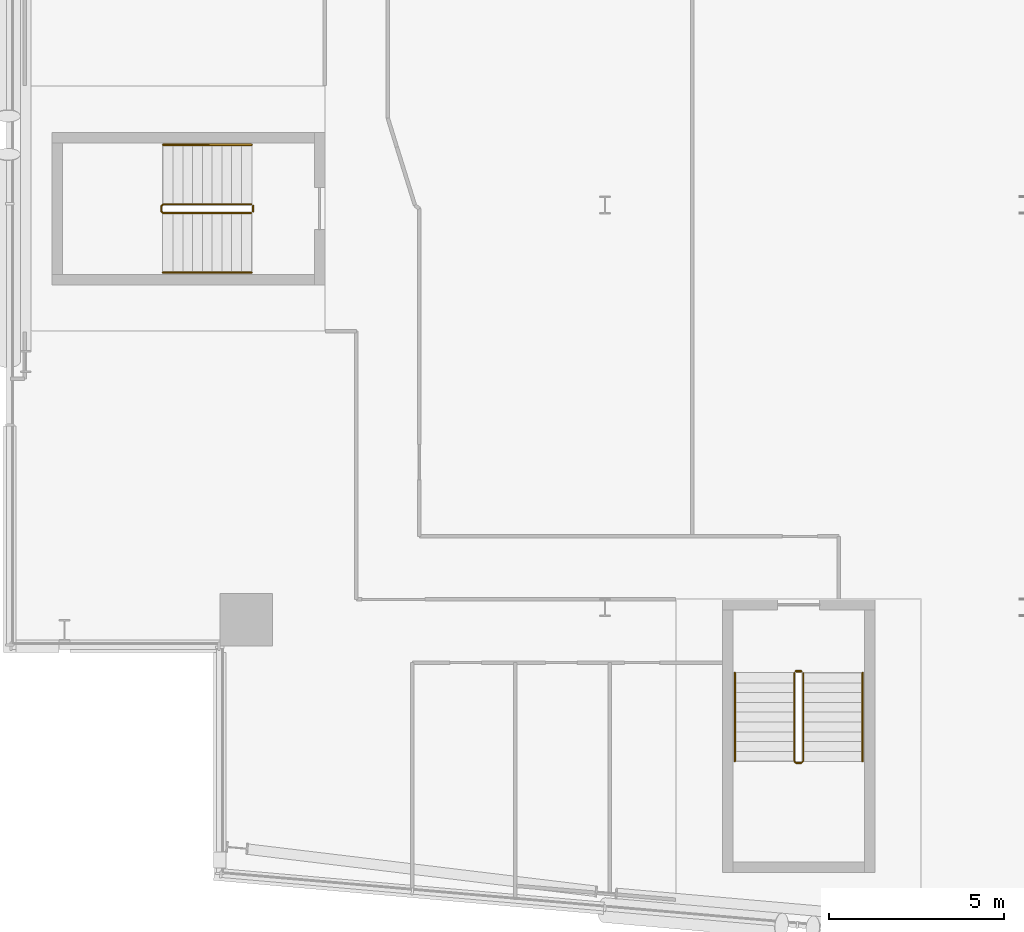
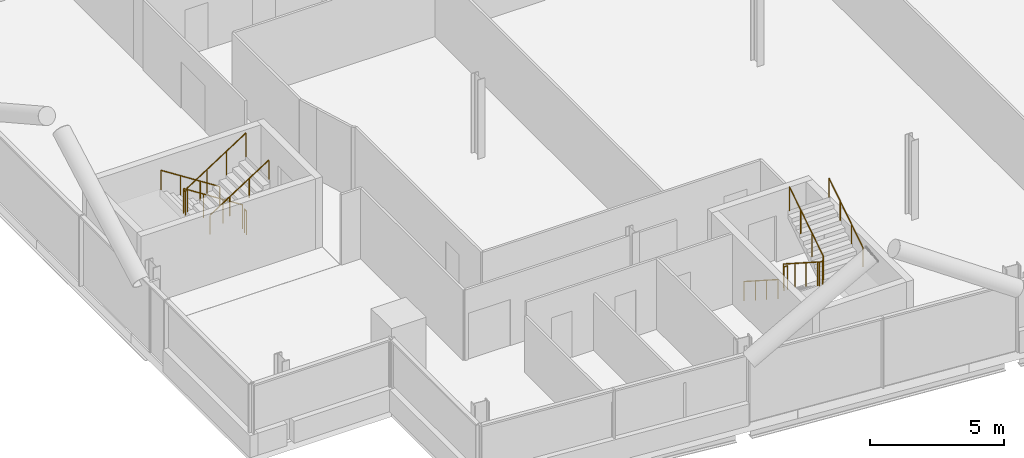
# One storey, part 24 of 26: 8 railings.
"""IFC4 building model written with IfcOpenShell, lengths in metres."""

from ifc_helpers import new_model, si_unit, direction, frame, origin, origin_2d, place, context, subcontext, project, spatial, circle, extrude, material, type_object, element, save


model = new_model("IFC4")

# Units and contexts
model_context = context("Model", 3, precision=1e-05, world=origin(), true_north=direction((0.0, 1.0)))
body_context = subcontext(model_context, "Body", "Model", "MODEL_VIEW")
ifc_project = project(units=[si_unit("LENGTHUNIT", "METRE"), si_unit("AREAUNIT", "SQUARE_METRE"), si_unit("VOLUMEUNIT", "CUBIC_METRE"), si_unit("PLANEANGLEUNIT", "RADIAN"), si_unit("MASSUNIT", "GRAM", prefix="KILO")], contexts=[model_context])

# Site, building, storey
site_placement = place(None, origin())
site = spatial("IfcSite", under=ifc_project, at=site_placement, CompositionType="ELEMENT")
building_placement = place(site_placement, origin())
building = spatial("IfcBuilding", under=site, at=building_placement, Name="Wharfspan Tower", CompositionType="ELEMENT")
storey_placement = place(building_placement, frame((0.0, 0.0, 177.100098)))
storey = spatial("IfcBuildingStorey", under=building, at=storey_placement, Name="L43", CompositionType="ELEMENT", Elevation=177.100098)

# Railings
ifc_material = material(Name="Steel S355J2", Category="steel")
railing_type_1 = type_object("IfcRailingType", Name="Stair guard 1100", PredefinedType="GUARDRAIL", material=ifc_material)
railing_1_placement = place(storey_placement, frame((13.899902, 23.024902, 0.179932)))
element("IfcRailing", 1, at=railing_1_placement, inside=storey, type_object=railing_type_1, Name="L43 ST3 stair guard 1", PredefinedType="GUARDRAIL", context=body_context, shape_type="SweptSolid", body=[
    extrude(circle(Radius=0.023926, at=origin_2d()), frame((0.0, 0.0, 1.076172), z_axis=(-0.8412, 0.0, 0.540725), x_axis=(0.0, -1.0, 0.0)), (0.0, 0.0, 1.0), 2.99585),
    extrude(circle(Radius=0.023926, at=origin_2d()), frame((-2.52002, 0.0, 2.695801), z_axis=(-0.707107, -0.707107, 0.0), x_axis=(0.707107, -0.707107, 0.0)), (0.0, 0.0, 1.0), 0.070312),
    extrude(circle(Radius=0.023926, at=origin_2d()), frame((-2.569824, -0.049805, 2.695801), z_axis=(0.0, -1.0, 0.0), x_axis=(1.0, 0.0, 0.0)), (0.0, 0.0, 1.0), 0.150146),
    extrude(circle(Radius=0.023926, at=origin_2d()), frame((-2.569824, -0.199951, 2.695801), z_axis=(0.257366, -0.258628, 0.931061), x_axis=(0.708838, 0.705372, -2e-06)), (0.0, 0.0, 1.0), 0.193604),
    extrude(circle(Radius=0.023926, at=origin_2d()), frame((-2.52002, -0.25, 2.875977), z_axis=(0.8412, 0.0, 0.540725), x_axis=(0.0, 1.0, 0.0)), (0.0, 0.0, 1.0), 2.99585),
    extrude(circle(Radius=0.020996, at=origin_2d()), origin(), (0.0, 0.0, 1.0), 1.052002),
    extrude(circle(Radius=0.020996, at=origin_2d()), frame((-0.840088, 0.0, 0.540039)), (0.0, 0.0, 1.0), 1.052002),
    extrude(circle(Radius=0.020996, at=origin_2d()), frame((-1.679932, 0.0, 1.079834)), (0.0, 0.0, 1.0), 1.052002),
    extrude(circle(Radius=0.020996, at=origin_2d()), frame((-2.52002, 0.0, 1.619873)), (0.0, 0.0, 1.0), 1.052002),
    extrude(circle(Radius=0.020996, at=origin_2d()), frame((-2.569824, -0.049805, 1.619873)), (0.0, 0.0, 1.0), 1.052002),
    extrude(circle(Radius=0.020996, at=origin_2d()), frame((-2.569824, -0.199951, 1.619873)), (0.0, 0.0, 1.0), 1.052002),
    extrude(circle(Radius=0.020996, at=origin_2d()), frame((-2.52002, -0.25, 1.800049)), (0.0, 0.0, 1.0), 1.052002),
    extrude(circle(Radius=0.020996, at=origin_2d()), frame((-1.679932, -0.25, 2.340088)), (0.0, 0.0, 1.0), 1.052002),
    extrude(circle(Radius=0.020996, at=origin_2d()), frame((-0.840088, -0.25, 2.879883)), (0.0, 0.0, 1.0), 1.052002),
    extrude(circle(Radius=0.020996, at=origin_2d()), frame((0.0, -0.25, 3.419922)), (0.0, 0.0, 1.0), 1.052002),
])
railing_2_placement = place(storey_placement, frame((13.949951, 22.975098, 0.0)))
element("IfcRailing", 2, at=railing_2_placement, inside=storey, type_object=railing_type_1, Name="L43 ST3 stair guard 2", PredefinedType="GUARDRAIL", context=body_context, shape_type="SweptSolid", body=[
    extrude(circle(Radius=0.023926, at=origin_2d()), frame((0.0, 0.0, 1.076172), z_axis=(0.0, -1.0, 0.0), x_axis=(1.0, 0.0, 0.0)), (0.0, 0.0, 1.0), 0.150146),
    extrude(circle(Radius=0.020996, at=origin_2d()), origin(), (0.0, 0.0, 1.0), 1.052002),
    extrude(circle(Radius=0.020996, at=origin_2d()), frame((0.0, -0.150146, 0.0)), (0.0, 0.0, 1.0), 1.052002),
])
railing_3_placement = place(storey_placement, frame((29.414307, 9.634277, 0.179932)))
element("IfcRailing", 3, at=railing_3_placement, inside=storey, type_object=railing_type_1, Name="L43 ST4 stair guard 1", PredefinedType="GUARDRAIL", context=body_context, shape_type="SweptSolid", body=[
    extrude(circle(Radius=0.023926, at=origin_2d()), frame((0.0, 0.0, 1.076172), z_axis=(0.0, -0.8412, 0.540725), x_axis=(1.0, 0.0, 0.0)), (0.0, 0.0, 1.0), 2.99585),
    extrude(circle(Radius=0.023926, at=origin_2d()), frame((0.0, -2.52002, 2.695801), z_axis=(0.705376, -0.708834, 0.0), x_axis=(0.708834, 0.705376, 0.0)), (0.0, 0.0, 1.0), 0.070557),
    extrude(circle(Radius=0.023926, at=origin_2d()), frame((0.049805, -2.570068, 2.695801), z_axis=(1.0, 0.0, 0.0), x_axis=(0.0, 1.0, 0.0)), (0.0, 0.0, 1.0), 0.150146),
    extrude(circle(Radius=0.023926, at=origin_2d()), frame((0.199951, -2.570068, 2.695801), z_axis=(0.258544, 0.258544, 0.930758), x_axis=(-0.707107, 0.707107, 0.0)), (0.0, 0.0, 1.0), 0.193604),
    extrude(circle(Radius=0.023926, at=origin_2d()), frame((0.25, -2.52002, 2.875977), z_axis=(0.0, 0.8412, 0.540725), x_axis=(-1.0, 0.0, 0.0)), (0.0, 0.0, 1.0), 2.99585),
    extrude(circle(Radius=0.020996, at=origin_2d()), origin(), (0.0, 0.0, 1.0), 1.052002),
    extrude(circle(Radius=0.020996, at=origin_2d()), frame((0.0, -0.840088, 0.540039)), (0.0, 0.0, 1.0), 1.052002),
    extrude(circle(Radius=0.020996, at=origin_2d()), frame((0.0, -1.679932, 1.079834)), (0.0, 0.0, 1.0), 1.052002),
    extrude(circle(Radius=0.020996, at=origin_2d()), frame((0.0, -2.52002, 1.619873)), (0.0, 0.0, 1.0), 1.052002),
    extrude(circle(Radius=0.020996, at=origin_2d()), frame((0.049805, -2.570068, 1.619873)), (0.0, 0.0, 1.0), 1.052002),
    extrude(circle(Radius=0.020996, at=origin_2d()), frame((0.199951, -2.570068, 1.619873)), (0.0, 0.0, 1.0), 1.052002),
    extrude(circle(Radius=0.020996, at=origin_2d()), frame((0.25, -2.52002, 1.800049)), (0.0, 0.0, 1.0), 1.052002),
    extrude(circle(Radius=0.020996, at=origin_2d()), frame((0.25, -1.679932, 2.340088)), (0.0, 0.0, 1.0), 1.052002),
    extrude(circle(Radius=0.020996, at=origin_2d()), frame((0.25, -0.840088, 2.879883)), (0.0, 0.0, 1.0), 1.052002),
    extrude(circle(Radius=0.020996, at=origin_2d()), frame((0.25, 0.0, 3.419922)), (0.0, 0.0, 1.0), 1.052002),
])
railing_4_placement = place(storey_placement, frame((29.464111, 9.684326, 0.0)))
element("IfcRailing", 4, at=railing_4_placement, inside=storey, type_object=railing_type_1, Name="L43 ST4 stair guard 2", PredefinedType="GUARDRAIL", context=body_context, shape_type="SweptSolid", body=[
    extrude(circle(Radius=0.023926, at=origin_2d()), frame((0.0, 0.0, 1.076172), z_axis=(1.0, 0.0, 0.0), x_axis=(0.0, 1.0, 0.0)), (0.0, 0.0, 1.0), 0.150146),
    extrude(circle(Radius=0.020996, at=origin_2d()), origin(), (0.0, 0.0, 1.0), 1.052002),
    extrude(circle(Radius=0.020996, at=origin_2d()), frame((0.150146, 0.0, 0.0)), (0.0, 0.0, 1.0), 1.052002),
])
railing_type_2 = type_object("IfcRailingType", Name="Stair handrail 900", PredefinedType="HANDRAIL", material=ifc_material)
railing_5_placement = place(storey_placement, frame((13.899902, 24.725098, 0.179932)))
element("IfcRailing", 5, at=railing_5_placement, inside=storey, type_object=railing_type_2, Name="L43 ST3 stair handrail 1", PredefinedType="HANDRAIL", context=body_context, shape_type="SweptSolid", body=[
    extrude(circle(Radius=0.023926, at=origin_2d()), frame((0.0, 0.0, 0.875977), z_axis=(-0.8412, 0.0, 0.540725), x_axis=(0.0, -1.0, 0.0)), (0.0, 0.0, 1.0), 2.99585),
    extrude(circle(Radius=0.020996, at=origin_2d()), origin(), (0.0, 0.0, 1.0), 0.851807),
    extrude(circle(Radius=0.020996, at=origin_2d()), frame((-0.840088, 0.0, 0.540039)), (0.0, 0.0, 1.0), 0.851807),
    extrude(circle(Radius=0.020996, at=origin_2d()), frame((-1.679932, 0.0, 1.079834)), (0.0, 0.0, 1.0), 0.851807),
    extrude(circle(Radius=0.020996, at=origin_2d()), frame((-2.52002, 0.0, 1.619873)), (0.0, 0.0, 1.0), 0.851807),
])
railing_6_placement = place(storey_placement, frame((11.379883, 21.074951, 1.97998)))
element("IfcRailing", 6, at=railing_6_placement, inside=storey, type_object=railing_type_2, Name="L43 ST3 stair handrail 2", PredefinedType="HANDRAIL", context=body_context, shape_type="SweptSolid", body=[
    extrude(circle(Radius=0.023926, at=origin_2d()), frame((0.0, 0.0, 0.875977), z_axis=(0.8412, 0.0, 0.540725), x_axis=(0.0, 1.0, 0.0)), (0.0, 0.0, 1.0), 2.99585),
    extrude(circle(Radius=0.020996, at=origin_2d()), origin(), (0.0, 0.0, 1.0), 0.851807),
    extrude(circle(Radius=0.020996, at=origin_2d()), frame((0.840088, 0.0, 0.540039)), (0.0, 0.0, 1.0), 0.851807),
    extrude(circle(Radius=0.020996, at=origin_2d()), frame((1.679932, 0.0, 1.079834)), (0.0, 0.0, 1.0), 0.851807),
    extrude(circle(Radius=0.020996, at=origin_2d()), frame((2.52002, 0.0, 1.619873)), (0.0, 0.0, 1.0), 0.851807),
])
railing_7_placement = place(storey_placement, frame((27.714111, 9.634277, 0.179932)))
element("IfcRailing", 7, at=railing_7_placement, inside=storey, type_object=railing_type_2, Name="L43 ST4 stair handrail 1", PredefinedType="HANDRAIL", context=body_context, shape_type="SweptSolid", body=[
    extrude(circle(Radius=0.023926, at=origin_2d()), frame((0.0, 0.0, 0.875977), z_axis=(0.0, -0.8412, 0.540725), x_axis=(1.0, 0.0, 0.0)), (0.0, 0.0, 1.0), 2.99585),
    extrude(circle(Radius=0.020996, at=origin_2d()), origin(), (0.0, 0.0, 1.0), 0.851807),
    extrude(circle(Radius=0.020996, at=origin_2d()), frame((0.0, -0.840088, 0.540039)), (0.0, 0.0, 1.0), 0.851807),
    extrude(circle(Radius=0.020996, at=origin_2d()), frame((0.0, -1.679932, 1.079834)), (0.0, 0.0, 1.0), 0.851807),
    extrude(circle(Radius=0.020996, at=origin_2d()), frame((0.0, -2.52002, 1.619873)), (0.0, 0.0, 1.0), 0.851807),
])
railing_8_placement = place(storey_placement, frame((31.364258, 7.114258, 1.97998)))
element("IfcRailing", 8, at=railing_8_placement, inside=storey, type_object=railing_type_2, Name="L43 ST4 stair handrail 2", PredefinedType="HANDRAIL", context=body_context, shape_type="SweptSolid", body=[
    extrude(circle(Radius=0.023926, at=origin_2d()), frame((0.0, 0.0, 0.875977), z_axis=(0.0, 0.8412, 0.540725), x_axis=(-1.0, 0.0, 0.0)), (0.0, 0.0, 1.0), 2.99585),
    extrude(circle(Radius=0.020996, at=origin_2d()), origin(), (0.0, 0.0, 1.0), 0.851807),
    extrude(circle(Radius=0.020996, at=origin_2d()), frame((0.0, 0.840088, 0.540039)), (0.0, 0.0, 1.0), 0.851807),
    extrude(circle(Radius=0.020996, at=origin_2d()), frame((0.0, 1.679932, 1.079834)), (0.0, 0.0, 1.0), 0.851807),
    extrude(circle(Radius=0.020996, at=origin_2d()), frame((0.0, 2.52002, 1.619873)), (0.0, 0.0, 1.0), 0.851807),
])

save(model, "model.ifc")
